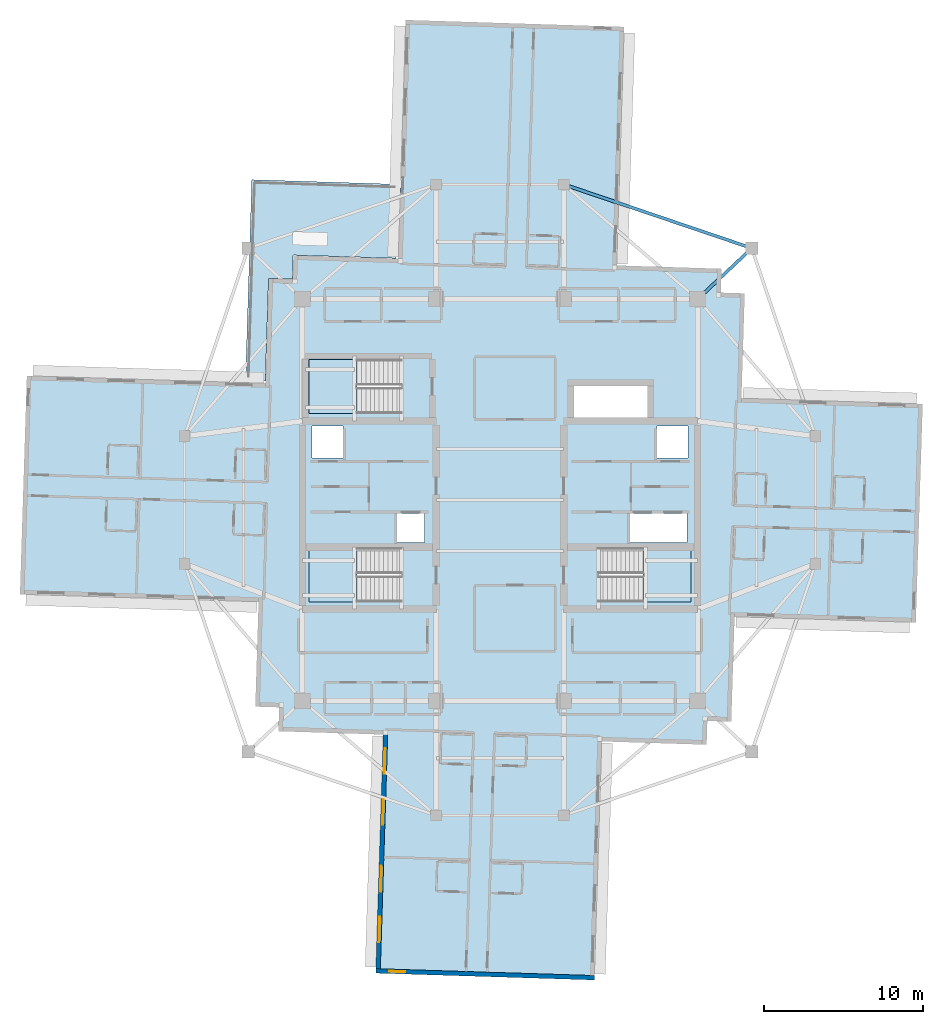
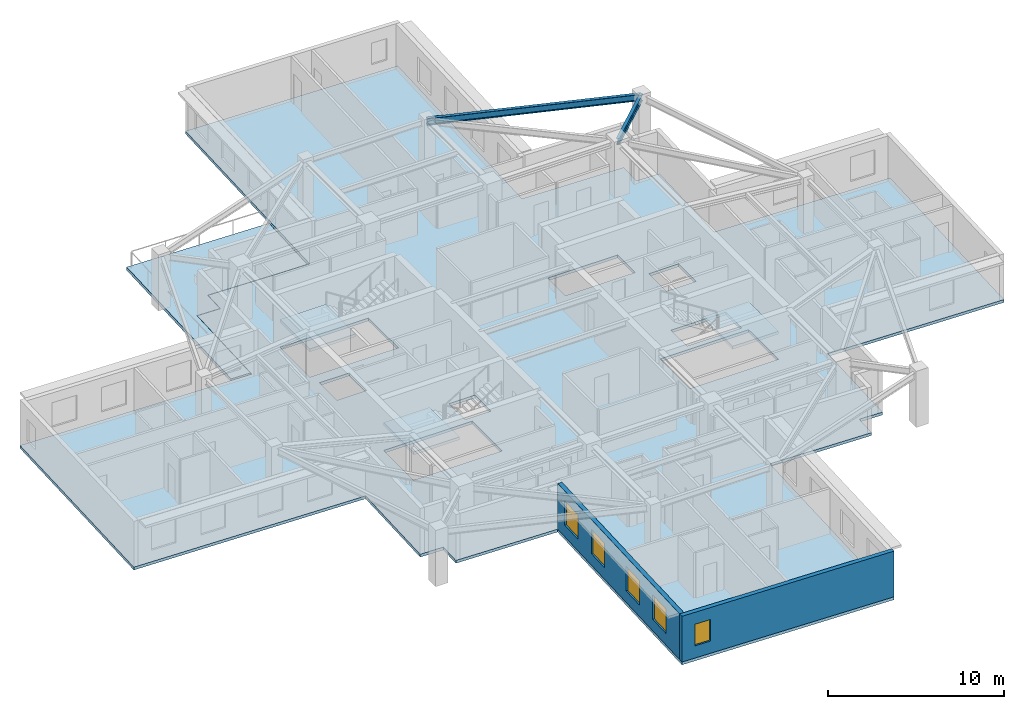
# One storey, part 2 of 13: 5 slabs, 5 windows, 2 beams, 2 walls, 5 openings, 3 elements without a shape of their own.
"""IFC4 building model written with IfcOpenShell, lengths in metres."""

from ifc_helpers import new_model, si_unit, direction, frame, frame_2d, origin, origin_2d, place, context, subcontext, project, spatial, polyline, rectangle, i_section, outline, extrude, material, layer, layer_set, material_profile, profile_set, type_object, element, fill, aggregate, save


model = new_model("IFC4")

# Units and contexts
model_context = context("Model", 3, precision=1e-05, world=origin(), true_north=direction((0.0, 1.0)))
body_context = subcontext(model_context, "Body", "Model", "MODEL_VIEW")
ifc_project = project(units=[si_unit("LENGTHUNIT", "METRE"), si_unit("AREAUNIT", "SQUARE_METRE"), si_unit("VOLUMEUNIT", "CUBIC_METRE"), si_unit("PLANEANGLEUNIT", "RADIAN"), si_unit("MASSUNIT", "GRAM", prefix="KILO")], contexts=[model_context])

# Site, building, storey
site_placement = place(None, origin())
site = spatial("IfcSite", under=ifc_project, at=site_placement, CompositionType="ELEMENT")
building_placement = place(site_placement, origin())
building = spatial("IfcBuilding", under=site, at=building_placement, Name="Qingluan Cross Belvedere", CompositionType="ELEMENT")
storey_placement = place(building_placement, frame((0.0, 0.0, 257.699951171875)))
storey = spatial("IfcBuildingStorey", under=building, at=storey_placement, Name="L64", CompositionType="ELEMENT", Elevation=257.699951171875)

# Beams
ifc_material_1 = material(Name="Steel Q420GJB", Category="steel")
ifc_material_profile = material_profile(ifc_material_1, i_section(OverallWidth=0.199951171875, OverallDepth=0.449951171875, WebThickness=0.009033203125, FlangeThickness=0.013916015625, FilletRadius=0.01611328125, at=origin_2d()), Name="HN450x200x9x14")
ifc_profile_set = profile_set([ifc_material_profile], Name="Steel Q420GJB")
beam_type = type_object("IfcBeamType", Name="Steel_Beam_HN450x200x9x14", PredefinedType="JOIST", material=ifc_profile_set)
beam_1_placement = place(storey_placement, frame((12.39990234375, 12.60009765625, 3.47509765625), z_axis=(0.728219948308, 0.685343495546, 0.0), x_axis=(-0.685343495546, 0.728219948308, 0.0)))
element("IfcBeam", 1, at=beam_1_placement, inside=storey, type_object=beam_type, Name="Corner beam 1 L64-RNE", PredefinedType="JOIST", context=body_context, shape_type="SweptSolid", body=[
    extrude(i_section(OverallWidth=0.199951171875, OverallDepth=0.449951171875, WebThickness=0.009033203125, FlangeThickness=0.013916015625, FilletRadius=0.01611328125, at=origin_2d()), origin(), (0.0, 0.0, 1.0), 4.669189453125),
])
beam_2_placement = place(storey_placement, frame((15.800048828125, 15.800048828125, 3.47509765625), z_axis=(-0.947066283324, 0.321038089628, 0.0), x_axis=(-0.321038089628, -0.947066283324, 0.0)))
element("IfcBeam", 2, at=beam_2_placement, inside=storey, type_object=beam_type, Name="Corner beam 2 L64-RNE", PredefinedType="JOIST", context=body_context, shape_type="SweptSolid", body=[
    extrude(i_section(OverallWidth=0.199951171875, OverallDepth=0.449951171875, WebThickness=0.009033203125, FlangeThickness=0.013916015625, FilletRadius=0.01611328125, at=origin_2d()), origin(), (0.0, 0.0, 1.0), 12.45947265625),
])

# Slab
ifc_material_2 = material(Name="Concrete C40", Category="concrete")
ifc_layer_1 = layer(ifc_material_2, 0.199951171875, Name="FloorSlab_200")
ifc_layer_set_1 = layer_set([ifc_layer_1], Name="Concrete C40")
slab_type_1 = type_object("IfcSlabType", Name="FloorSlab_200", PredefinedType="FLOOR", material=ifc_layer_set_1)
slab_1_placement = place(storey_placement, frame((0.0, 0.0, -0.199951171875)))
element("IfcSlab", 3, at=slab_1_placement, inside=storey, type_object=slab_type_1, Name="Structural floor slab L64", PredefinedType="FLOOR", context=body_context, shape_type="SweptSolid", body=[
    extrude(outline(polyline([(5.916748046875, -30.12060546875), (6.38720703125, -15.148193359375), (12.964111328125, -15.354736328125), (13.01123046875, -13.85546875), (14.510498046875, -13.902587890625), (14.71728515625, -7.325927734375), (26.091552734375, -7.683349609375), (26.5224609375, 6.02978515625), (15.148193359375, 6.38720703125), (15.354736328125, 12.964111328125), (13.85546875, 13.01123046875), (13.902587890625, 14.510498046875), (7.325927734375, 14.71728515625), (7.79638671875, 29.689697265625), (-5.916748046875, 30.12060546875), (-6.38720703125, 15.148193359375), (-12.964111328125, 15.354736328125), (-13.01123046875, 13.85546875), (-14.510498046875, 13.902587890625), (-14.71728515625, 7.325927734375), (-29.689697265625, 7.79638671875), (-30.12060546875, -5.916748046875), (-15.148193359375, -6.38720703125), (-15.354736328125, -12.964111328125), (-13.85546875, -13.01123046875), (-13.902587890625, -14.510498046875), (-7.325927734375, -14.71728515625), (-7.79638671875, -29.689697265625), (5.916748046875, -30.12060546875)]), holes=[polyline([(-12.0, -3.0), (-6.179931640625, -3.0), (-6.179931640625, -6.39990234375), (-12.0, -6.39990234375), (-12.0, -3.0)]), polyline([(6.179931640625, -3.0), (12.0, -3.0), (12.0, -6.39990234375), (6.179931640625, -6.39990234375), (6.179931640625, -3.0)]), polyline([(-12.0, 8.820068359375), (-6.179931640625, 8.820068359375), (-6.179931640625, 5.419921875), (-12.0, 5.419921875), (-12.0, 8.820068359375)]), polyline([(-11.800048828125, 4.64990234375), (-9.85009765625, 4.64990234375), (-9.85009765625, 2.64990234375), (-11.800048828125, 2.64990234375), (-11.800048828125, 4.64990234375)]), polyline([(9.85009765625, 4.64990234375), (11.800048828125, 4.64990234375), (11.800048828125, 2.64990234375), (9.85009765625, 2.64990234375), (9.85009765625, 4.64990234375)]), polyline([(-6.449951171875, -0.840087890625), (-4.75, -0.840087890625), (-4.75, -2.659912109375), (-6.449951171875, -2.659912109375), (-6.449951171875, -0.840087890625)]), polyline([(8.14990234375, -0.840087890625), (11.75, -0.840087890625), (11.75, -2.659912109375), (8.14990234375, -2.659912109375), (8.14990234375, -0.840087890625)]), polyline([(4.64990234375, 7.14990234375), (9.25, 7.14990234375), (9.25, 5.14990234375), (4.64990234375, 5.14990234375), (4.64990234375, 7.14990234375)])]), origin(), (0.0, 0.0, 1.0), 0.199951171875),
])

# Stair, slab
ifc_material_3 = material(Name="Concrete C40", Category="concrete")
stair_type = type_object("IfcStairType", Name="CoreDoglegStair_1620", PredefinedType="HALF_TURN_STAIR", material=ifc_material_3)
stair_1_placement = place(storey_placement, origin())
stair_1 = element("IfcStair", 4, at=stair_1_placement, inside=storey, type_object=stair_type, Name="L64 ST1", PredefinedType="HALF_TURN_STAIR")
ifc_material_4 = material(Name="Concrete C40", Category="concrete")
ifc_layer_2 = layer(ifc_material_4, 0.179931640625, Name="StairLandingSlab_180")
ifc_layer_set_2 = layer_set([ifc_layer_2], Name="Concrete C40")
slab_type_2 = type_object("IfcSlabType", Name="StairLandingSlab_180", PredefinedType="LANDING", material=ifc_layer_set_2)
slab_2_placement = place(storey_placement, frame((0.0, 0.0, 1.75)))
slab_2 = element("IfcSlab", 5, at=slab_2_placement, type_object=slab_type_2, Name="ST1 landing 1", PredefinedType="LANDING", context=body_context, shape_type="SweptSolid", body=[
    extrude(outline(polyline([(-8.97998046875, -3.0), (-12.0, -3.0), (-12.0, -6.39990234375), (-8.97998046875, -6.39990234375), (-8.97998046875, -3.0)])), origin(), (0.0, 0.0, 1.0), 0.199951171875),
])
aggregate(stair_1, [slab_2])

stair_2_placement = place(storey_placement, origin())
stair_2 = element("IfcStair", 6, at=stair_2_placement, inside=storey, type_object=stair_type, Name="L64 ST2", PredefinedType="HALF_TURN_STAIR")
slab_3_placement = place(storey_placement, frame((0.0, 0.0, 1.75)))
slab_3 = element("IfcSlab", 7, at=slab_3_placement, type_object=slab_type_2, Name="ST2 landing 1", PredefinedType="LANDING", context=body_context, shape_type="SweptSolid", body=[
    extrude(outline(polyline([(8.97998046875, -6.39990234375), (12.0, -6.39990234375), (12.0, -3.0), (8.97998046875, -3.0), (8.97998046875, -6.39990234375)])), origin(), (0.0, 0.0, 1.0), 0.199951171875),
])
aggregate(stair_2, [slab_3])

stair_3_placement = place(storey_placement, origin())
stair_3 = element("IfcStair", 8, at=stair_3_placement, inside=storey, type_object=stair_type, Name="L64 ST3", PredefinedType="HALF_TURN_STAIR")
slab_4_placement = place(storey_placement, frame((0.0, 0.0, 1.75)))
slab_4 = element("IfcSlab", 9, at=slab_4_placement, type_object=slab_type_2, Name="ST3 landing 1", PredefinedType="LANDING", context=body_context, shape_type="SweptSolid", body=[
    extrude(outline(polyline([(-8.97998046875, 8.820068359375), (-12.0, 8.820068359375), (-12.0, 5.419921875), (-8.97998046875, 5.419921875), (-8.97998046875, 8.820068359375)])), origin(), (0.0, 0.0, 1.0), 0.199951171875),
])
aggregate(stair_3, [slab_4])

# Slab
ifc_material_5 = material(Name="Concrete C40", Category="concrete")
ifc_layer_3 = layer(ifc_material_5, 0.219970703125, Name="TerraceSlab_220")
ifc_layer_set_3 = layer_set([ifc_layer_3], Name="Concrete C40")
slab_type_3 = type_object("IfcSlabType", Name="TerraceSlab_220", PredefinedType="FLOOR", material=ifc_layer_set_3)
slab_5_placement = place(storey_placement, frame((0.0, 0.0, -0.219970703125)))
element("IfcSlab", 10, at=slab_5_placement, inside=storey, type_object=slab_type_3, Name="Spiralling winter-garden terrace slab L64", PredefinedType="FLOOR", context=body_context, shape_type="SweptSolid", body=[
    extrude(outline(polyline([(-14.72265625, 7.466064453125), (-14.5185546875, 13.908447265625), (-13.02099609375, 13.86572265625), (-12.97412109375, 15.35498046875), (-12.9658203125, 15.36474609375), (-6.527099609375, 15.16259765625), (-6.380859375, 19.810302734375), (-15.576416015625, 20.09912109375), (-15.97216796875, 7.50537109375), (-14.72265625, 7.466064453125)])), origin(), (0.0, 0.0, 1.0), 0.219970703125),
])

# Wall, openings, windows
ifc_material_6 = material(Name="Precast concrete C45", Category="concrete")
ifc_layer_4 = layer(ifc_material_6, 0.280029296875, Name="PrecastFacadeWall_280")
ifc_layer_set_4 = layer_set([ifc_layer_4], Name="Precast concrete C45")
wall_type = type_object("IfcWallType", Name="PrecastFacadeWall_280", PredefinedType="STANDARD", material=ifc_layer_set_4)
wall_1_placement = place(storey_placement, frame((-7.18603515625, -14.721435546875, 0.0), z_axis=(0.0, 0.0, 1.0), x_axis=(-0.031405855522, -0.999506714454, 0.0)))
wall_1 = element("IfcWall", 11, at=wall_1_placement, inside=storey, type_object=wall_type, Name="Facade wall L64-SA", PredefinedType="STANDARD", context=body_context, shape_type="SweptSolid", body=[
    extrude(rectangle(XDim=14.7001953125, YDim=0.280029296875, at=frame_2d((7.35009765625, 0.0))), origin(), (0.0, 0.0, 1.0), 3.179931640625),
])
opening_1_placement = place(wall_1_placement, frame((0.85009765625, 0.0, 0.800048828125)))
opening_1 = element("IfcOpeningElement", 12, at=opening_1_placement, cuts=wall_1, Name="Opening W-04", PredefinedType="OPENING", context=body_context, shape_type="SweptSolid", body=[
    extrude(rectangle(XDim=1.60009765625, YDim=1.699951171875, at=frame_2d((0.800048828125, 0.85009765625))), frame((0.0, 0.14990234375, 0.0), z_axis=(0.0, -1.0, 0.0), x_axis=(1.0, 0.0, 0.0)), (0.0, 0.0, 1.0), 0.300048828125),
])
opening_2_placement = place(wall_1_placement, frame((4.050048828125, 0.0, 0.800048828125)))
opening_2 = element("IfcOpeningElement", 13, at=opening_2_placement, cuts=wall_1, Name="Opening W-04", PredefinedType="OPENING", context=body_context, shape_type="SweptSolid", body=[
    extrude(rectangle(XDim=1.60009765625, YDim=1.699951171875, at=frame_2d((0.800048828125, 0.85009765625))), frame((0.0, 0.14990234375, 0.0), z_axis=(0.0, -1.0, 0.0), x_axis=(1.0, 0.0, 0.0)), (0.0, 0.0, 1.0), 0.300048828125),
])
opening_3_placement = place(wall_1_placement, frame((8.25, 0.0, 0.800048828125)))
opening_3 = element("IfcOpeningElement", 14, at=opening_3_placement, cuts=wall_1, Name="Opening W-04", PredefinedType="OPENING", context=body_context, shape_type="SweptSolid", body=[
    extrude(rectangle(XDim=1.60009765625, YDim=1.699951171875, at=frame_2d((0.800048828125, 0.85009765625))), frame((0.0, 0.14990234375, 0.0), z_axis=(0.0, -1.0, 0.0), x_axis=(1.0, 0.0, 0.0)), (0.0, 0.0, 1.0), 0.300048828125),
])
opening_4_placement = place(wall_1_placement, frame((11.449951171875, 0.0, 0.800048828125)))
opening_4 = element("IfcOpeningElement", 15, at=opening_4_placement, cuts=wall_1, Name="Opening W-04", PredefinedType="OPENING", context=body_context, shape_type="SweptSolid", body=[
    extrude(rectangle(XDim=1.60009765625, YDim=1.699951171875, at=frame_2d((0.800048828125, 0.85009765625))), frame((0.0, 0.14990234375, 0.0), z_axis=(0.0, -1.0, 0.0), x_axis=(1.0, 0.0, 0.0)), (0.0, 0.0, 1.0), 0.300048828125),
])
ifc_material_7 = material(Name="Thermally broken triple Low-E glass in aluminium frame", Category="aluminium")
window_type_1 = type_object("IfcWindowType", Name="SuiteCornerWin_1600x1700", PartitioningType="SINGLE_PANEL", PredefinedType="WINDOW", material=ifc_material_7)
window_1_placement = place(opening_1_placement, origin())
window_1 = element("IfcWindow", 16, at=window_1_placement, inside=storey, type_object=window_type_1, Name="Ribbon window L64-SA-1", OverallHeight=1.699951171875, OverallWidth=1.60009765625, PartitioningType="SINGLE_PANEL", PredefinedType="WINDOW", context=body_context, shape_type="SweptSolid", body=[
    extrude(rectangle(XDim=1.60009765625, YDim=1.699951171875, at=frame_2d((0.800048828125, 0.85009765625))), frame((0.0, 0.030029296875, 0.0), z_axis=(0.0, -1.0, 0.0), x_axis=(1.0, 0.0, 0.0)), (0.0, 0.0, 1.0), 0.06005859375),
])
fill(opening_1, window_1)
window_2_placement = place(opening_2_placement, origin())
window_2 = element("IfcWindow", 17, at=window_2_placement, inside=storey, type_object=window_type_1, Name="Ribbon window L64-SA-2", OverallHeight=1.699951171875, OverallWidth=1.60009765625, PartitioningType="SINGLE_PANEL", PredefinedType="WINDOW", context=body_context, shape_type="SweptSolid", body=[
    extrude(rectangle(XDim=1.60009765625, YDim=1.699951171875, at=frame_2d((0.800048828125, 0.85009765625))), frame((0.0, 0.030029296875, 0.0), z_axis=(0.0, -1.0, 0.0), x_axis=(1.0, 0.0, 0.0)), (0.0, 0.0, 1.0), 0.06005859375),
])
fill(opening_2, window_2)
window_3_placement = place(opening_3_placement, origin())
window_3 = element("IfcWindow", 18, at=window_3_placement, inside=storey, type_object=window_type_1, Name="Ribbon window L64-SA-3", OverallHeight=1.699951171875, OverallWidth=1.60009765625, PartitioningType="SINGLE_PANEL", PredefinedType="WINDOW", context=body_context, shape_type="SweptSolid", body=[
    extrude(rectangle(XDim=1.60009765625, YDim=1.699951171875, at=frame_2d((0.800048828125, 0.85009765625))), frame((0.0, 0.030029296875, 0.0), z_axis=(0.0, -1.0, 0.0), x_axis=(1.0, 0.0, 0.0)), (0.0, 0.0, 1.0), 0.06005859375),
])
fill(opening_3, window_3)
window_4_placement = place(opening_4_placement, origin())
window_4 = element("IfcWindow", 19, at=window_4_placement, inside=storey, type_object=window_type_1, Name="Ribbon window L64-SA-4", OverallHeight=1.699951171875, OverallWidth=1.60009765625, PartitioningType="SINGLE_PANEL", PredefinedType="WINDOW", context=body_context, shape_type="SweptSolid", body=[
    extrude(rectangle(XDim=1.60009765625, YDim=1.699951171875, at=frame_2d((0.800048828125, 0.85009765625))), frame((0.0, 0.030029296875, 0.0), z_axis=(0.0, -1.0, 0.0), x_axis=(1.0, 0.0, 0.0)), (0.0, 0.0, 1.0), 0.06005859375),
])
fill(opening_4, window_4)

# Wall, opening, window
wall_2_placement = place(storey_placement, frame((-7.7919921875, -29.5498046875, 0.0), z_axis=(0.0, 0.0, 1.0), x_axis=(0.999506662003, -0.031407524763, 0.0)))
wall_2 = element("IfcWall", 20, at=wall_2_placement, inside=storey, type_object=wall_type, Name="Arm tip precast facade wall L64-S", PredefinedType="STANDARD", context=body_context, shape_type="SweptSolid", body=[
    extrude(rectangle(XDim=13.719970703125, YDim=0.280029296875, at=frame_2d((6.85986328125, 0.0))), origin(), (0.0, 0.0, 1.0), 3.179931640625),
])
opening_5_placement = place(wall_2_placement, frame((0.85009765625, 0.0, 0.85009765625)))
opening_5 = element("IfcOpeningElement", 21, at=opening_5_placement, cuts=wall_2, Name="Opening W-03", PredefinedType="OPENING", context=body_context, shape_type="SweptSolid", body=[
    extrude(rectangle(XDim=1.0, YDim=1.5, at=frame_2d((0.5, 0.75))), frame((0.0, 0.14990234375, 0.0), z_axis=(0.0, -1.0, 0.0), x_axis=(1.0, 0.0, 0.0)), (0.0, 0.0, 1.0), 0.300048828125),
])
ifc_material_8 = material(Name="Thermally broken triple Low-E glass in aluminium frame", Category="aluminium")
window_type_2 = type_object("IfcWindowType", Name="TriApexWin_1000x1500", PartitioningType="SINGLE_PANEL", PredefinedType="WINDOW", material=ifc_material_8)
window_5_placement = place(opening_5_placement, origin())
window_5 = element("IfcWindow", 22, at=window_5_placement, inside=storey, type_object=window_type_2, Name="Arm tip triangular window L64-S", OverallHeight=1.5, OverallWidth=1.0, PartitioningType="SINGLE_PANEL", PredefinedType="WINDOW", context=body_context, shape_type="SweptSolid", body=[
    extrude(rectangle(XDim=1.0, YDim=1.5, at=frame_2d((0.5, 0.75))), frame((0.0, 0.030029296875, 0.0), z_axis=(0.0, -1.0, 0.0), x_axis=(1.0, 0.0, 0.0)), (0.0, 0.0, 1.0), 0.06005859375),
])
fill(opening_5, window_5)

save(model, "model.ifc")
